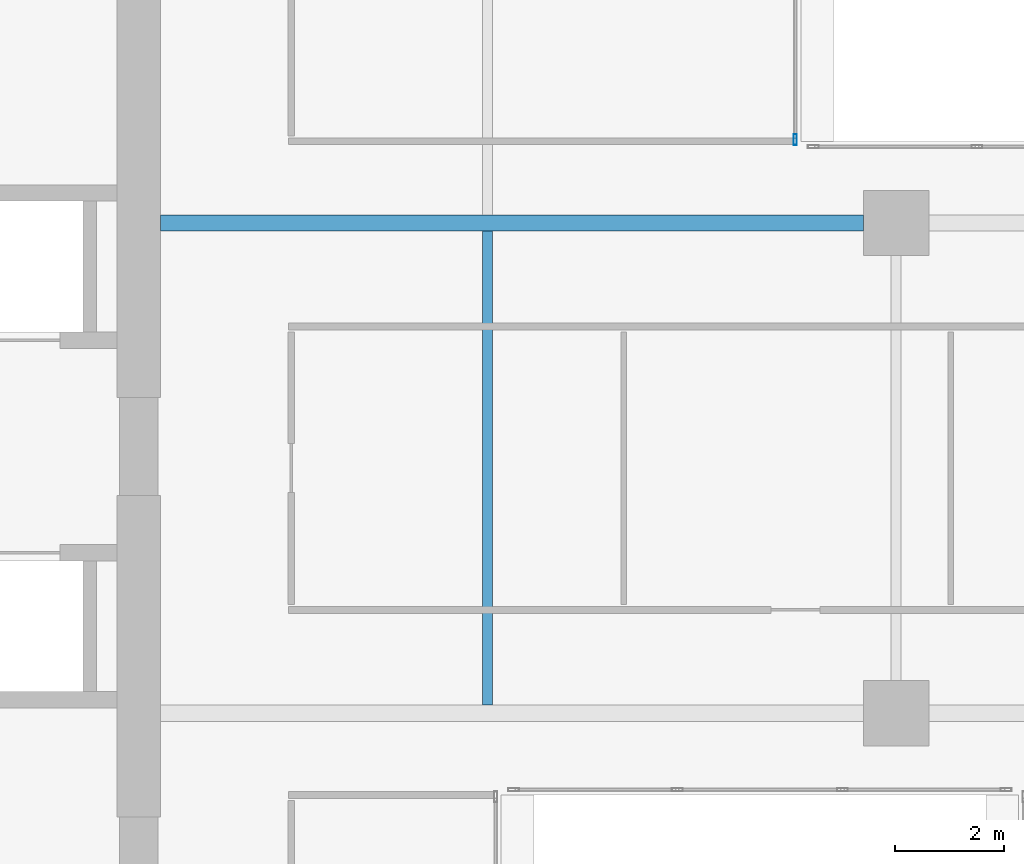
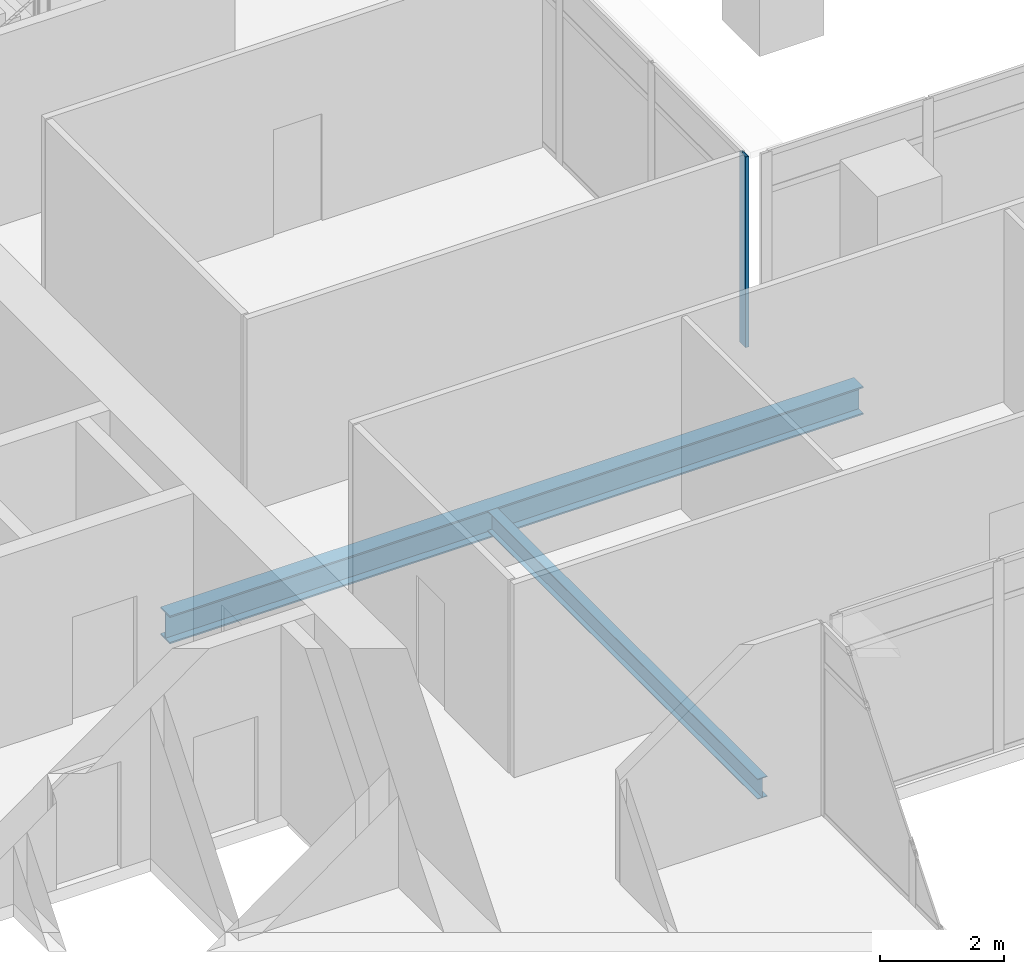
# One storey, part 8 of 40: 2 beams, 1 member, 1 element without a shape of its own.
"""IFC4 building model written with IfcOpenShell, lengths in metres."""

from ifc_helpers import new_model, si_unit, direction, frame, origin, origin_2d, place, context, subcontext, project, spatial, hollow_rectangle, i_section, extrude, source, transform, mapped, material, material_profile, profile_set, type_object, element, aggregate, save


model = new_model("IFC4")

# Units and contexts
model_context = context("Model", 3, precision=1e-05, world=origin(), true_north=direction((0.0, 1.0)))
body_context = subcontext(model_context, "Body", "Model", "MODEL_VIEW")
ifc_project = project(units=[si_unit("LENGTHUNIT", "METRE"), si_unit("AREAUNIT", "SQUARE_METRE"), si_unit("VOLUMEUNIT", "CUBIC_METRE"), si_unit("PLANEANGLEUNIT", "RADIAN"), si_unit("MASSUNIT", "GRAM", prefix="KILO")], contexts=[model_context])

# Site, building, storey
site_placement = place(None, origin())
site = spatial("IfcSite", under=ifc_project, at=site_placement, CompositionType="ELEMENT")
building_placement = place(site_placement, origin())
building = spatial("IfcBuilding", under=site, at=building_placement, Name="Khomas Fold Tower", CompositionType="ELEMENT")
storey_placement = place(building_placement, frame((0.0, 0.0, 176.699951171875)))
storey = spatial("IfcBuildingStorey", under=building, at=storey_placement, Name="L38", CompositionType="ELEMENT", Elevation=176.699951171875)

# Beams
ifc_material_1 = material(Name="Steel S355", Category="steel")
ifc_material_profile_1 = material_profile(ifc_material_1, i_section(OverallWidth=0.179931640625, OverallDepth=0.39990234375, WebThickness=0.008544921875, FlangeThickness=0.013427734375, at=origin_2d()), Name="IPE 400")
ifc_profile_set_1 = profile_set([ifc_material_profile_1], Name="Steel S355")
beam_type_1 = type_object("IfcBeamType", Name="IPE 400 beam JB3", PredefinedType="BEAM", material=ifc_profile_set_1)
shared_shape_1 = source(origin(), body_context, "Body", "SweptSolid", [
    extrude(i_section(OverallWidth=0.179931640625, OverallDepth=0.39990234375, WebThickness=0.008544921875, FlangeThickness=0.013427734375, at=origin_2d()), origin(), (0.0, 0.0, 1.0), 8.7001953125),
])
beam_1_placement = place(storey_placement, frame((27.0, 22.64990234375, -0.449951171875), z_axis=(0.0, 1.0, 0.0), x_axis=(-1.0, 0.0, 0.0)))
element("IfcBeam", 1, at=beam_1_placement, inside=storey, type_object=beam_type_1, Name="JB3", PredefinedType="BEAM", context=body_context, shape_type="MappedRepresentation", body=[
    mapped(shared_shape_1, transform((0.0, 0.0, 0.0))),
])
ifc_material_2 = material(Name="Steel S355", Category="steel")
ifc_material_profile_2 = material_profile(ifc_material_2, i_section(OverallWidth=0.300048828125, OverallDepth=0.550048828125, WebThickness=0.014892578125, FlangeThickness=0.029052734375, at=origin_2d()), Name="HE 550 B")
ifc_profile_set_2 = profile_set([ifc_material_profile_2], Name="Steel S355")
beam_type_2 = type_object("IfcBeamType", Name="HE 550 B beam GB4", PredefinedType="BEAM", material=ifc_profile_set_2)
shared_shape_2 = source(origin(), body_context, "Body", "SweptSolid", [
    extrude(i_section(OverallWidth=0.300048828125, OverallDepth=0.550048828125, WebThickness=0.014892578125, FlangeThickness=0.029052734375, at=origin_2d()), origin(), (0.0, 0.0, 1.0), 12.89990234375),
])
beam_2_placement = place(storey_placement, frame((21.0, 31.5, -0.52490234375), z_axis=(1.0, 0.0, 0.0), x_axis=(0.0, 1.0, 0.0)))
element("IfcBeam", 2, at=beam_2_placement, inside=storey, type_object=beam_type_2, Name="GB4", PredefinedType="BEAM", context=body_context, shape_type="MappedRepresentation", body=[
    mapped(shared_shape_2, transform((0.0, 0.0, 0.0))),
])

# Curtain wall, member
ifc_material_3 = material(Name="Aluminium framed double glazing", Category="aluminium")
curtain_wall_type = type_object("IfcCurtainWallType", Name="Notch glazing GN-CW", PredefinedType="NOTDEFINED", material=ifc_material_3)
curtain_wall_placement = place(storey_placement, origin())
curtain_wall = element("IfcCurtainWall", 3, at=curtain_wall_placement, inside=storey, type_object=curtain_wall_type, Name="Notch glazing run", PredefinedType="NOTDEFINED")
ifc_material_4 = material(Name="Aluminium", Category="aluminium")
ifc_material_profile_3 = material_profile(ifc_material_4, hollow_rectangle(XDim=0.06005859375, YDim=0.199951171875, WallThickness=0.00390625, at=origin_2d()), Name="Notch glazing mullion GN-CW-M")
ifc_profile_set_3 = profile_set([ifc_material_profile_3], Name="Aluminium")
member_type = type_object("IfcMemberType", Name="Notch glazing mullion GN-CW-M", PredefinedType="MULLION", material=ifc_profile_set_3)
shared_shape_3 = source(origin(), body_context, "Body", "SweptSolid", [
    extrude(hollow_rectangle(XDim=0.06005859375, YDim=0.199951171875, WallThickness=0.00390625, at=origin_2d()), origin(), (0.0, 0.0, 1.0), 3.75),
])
member_placement = place(storey_placement, frame((32.64990234375, 33.030029296875, 0.0), z_axis=(0.0, 0.0, 1.0), x_axis=(-1.0, 0.0, 0.0)))
member = element("IfcMember", 4, at=member_placement, type_object=member_type, Name="GN-CW mullion 1", PredefinedType="MULLION", context=body_context, shape_type="MappedRepresentation", body=[
    mapped(shared_shape_3, transform((0.0, 0.0, 0.0))),
])
aggregate(curtain_wall, [member])

save(model, "model.ifc")
